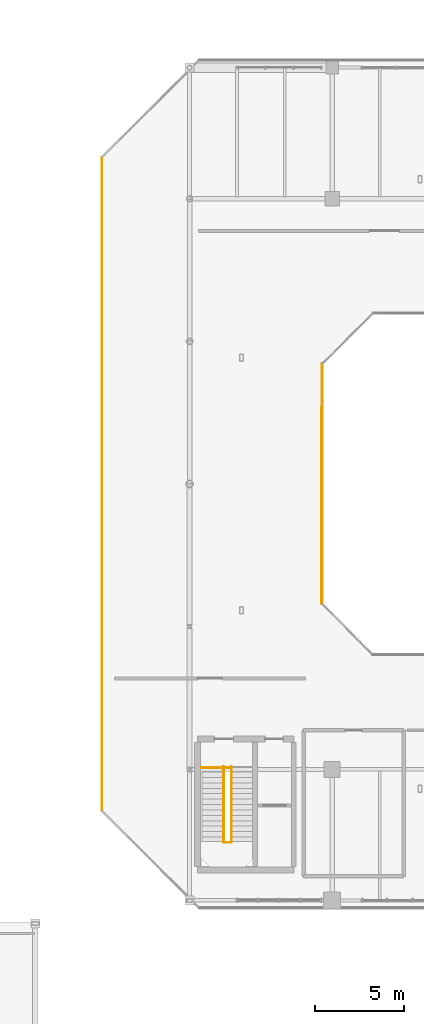
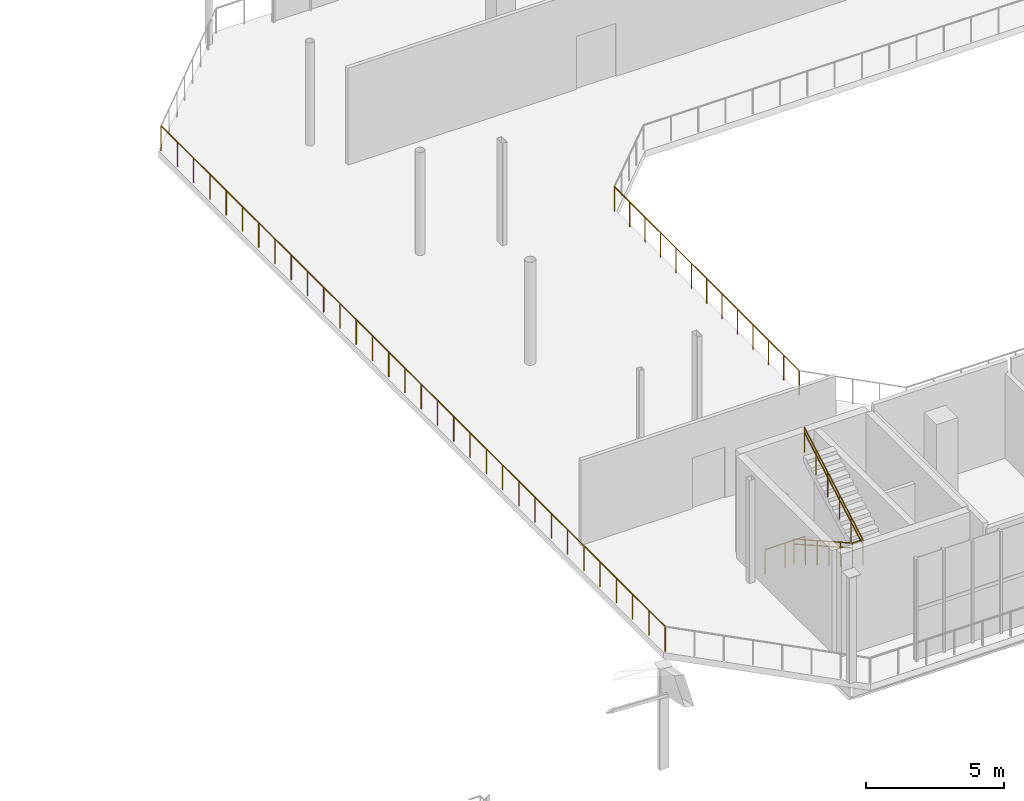
# One storey, part 46 of 51: 8 railings.
"""IFC4 building model written with IfcOpenShell, lengths in metres."""

from ifc_helpers import new_model, si_unit, direction, frame, origin, origin_2d, place, context, subcontext, project, spatial, circle, extrude, material, type_object, element, save


model = new_model("IFC4")

# Units and contexts
model_context = context("Model", 3, precision=1e-05, world=origin(), true_north=direction((0.0, 1.0)))
body_context = subcontext(model_context, "Body", "Model", "MODEL_VIEW")
ifc_project = project(units=[si_unit("LENGTHUNIT", "METRE"), si_unit("AREAUNIT", "SQUARE_METRE"), si_unit("VOLUMEUNIT", "CUBIC_METRE"), si_unit("PLANEANGLEUNIT", "RADIAN"), si_unit("MASSUNIT", "GRAM", prefix="KILO")], contexts=[model_context])

# Site, building, storey
site_placement = place(None, origin())
site = spatial("IfcSite", under=ifc_project, at=site_placement, CompositionType="ELEMENT")
building_placement = place(site_placement, origin())
building = spatial("IfcBuilding", under=site, at=building_placement, Name="Brisemont Oceanarium", CompositionType="ELEMENT")
storey_placement = place(building_placement, frame((0.0, 0.0, 15.0)))
storey = spatial("IfcBuildingStorey", under=building, at=storey_placement, Name="L03", CompositionType="ELEMENT", Elevation=15.0)

# Railings
ifc_material_1 = material(Name="Duplex Stainless Steel EN 1.4462", Category="steel")
railing_type_1 = type_object("IfcRailingType", Name="RLG-GUARD-1120", PredefinedType="GUARDRAIL", material=ifc_material_1)
railing_1_placement = place(storey_placement, frame((64.669921875, 40.090087890625, 0.0)))
element("IfcRailing", 1, at=railing_1_placement, inside=storey, type_object=railing_type_1, Name="ST-01 L03 landing edge guard", PredefinedType="GUARDRAIL", context=body_context, shape_type="SweptSolid", body=[
    extrude(circle(Radius=0.02392578125, at=origin_2d()), frame((0.0, 0.0, 1.09619140625), z_axis=(1.0, 0.0, 0.0), x_axis=(0.0, 1.0, 0.0)), (0.0, 0.0, 1.0), 1.68017578125),
    extrude(circle(Radius=0.02099609375, at=origin_2d()), origin(), (0.0, 0.0, 1.0), 1.072021484375),
    extrude(circle(Radius=0.02099609375, at=origin_2d()), frame((0.840087890625, 0.0, 0.0)), (0.0, 0.0, 1.0), 1.072021484375),
    extrude(circle(Radius=0.02099609375, at=origin_2d()), frame((1.68017578125, 0.0, 0.0)), (0.0, 0.0, 1.0), 1.072021484375),
])
railing_2_placement = place(storey_placement, frame((65.909912109375, 40.14990234375, 0.0)))
element("IfcRailing", 2, at=railing_2_placement, inside=storey, type_object=railing_type_1, Name="ST-01 L03 F1 well guard", PredefinedType="GUARDRAIL", context=body_context, shape_type="SweptSolid", body=[
    extrude(circle(Radius=0.02392578125, at=origin_2d()), frame((0.0, 0.0, 1.09619140625), z_axis=(0.0, -0.870762133844, 0.491704490791), x_axis=(1.0, 0.0, 0.0)), (0.0, 0.0, 1.0), 4.880859375),
    extrude(circle(Radius=0.02099609375, at=origin_2d()), origin(), (0.0, 0.0, 1.0), 1.072021484375),
    extrude(circle(Radius=0.02099609375, at=origin_2d()), frame((0.0, -0.85009765625, 0.47998046875)), (0.0, 0.0, 1.0), 1.072021484375),
    extrude(circle(Radius=0.02099609375, at=origin_2d()), frame((0.0, -1.699951171875, 0.9599609375)), (0.0, 0.0, 1.0), 1.072021484375),
    extrude(circle(Radius=0.02099609375, at=origin_2d()), frame((0.0, -2.550048828125, 1.43994140625)), (0.0, 0.0, 1.0), 1.072021484375),
    extrude(circle(Radius=0.02099609375, at=origin_2d()), frame((0.0, -3.39990234375, 1.919921875)), (0.0, 0.0, 1.0), 1.072021484375),
    extrude(circle(Radius=0.02099609375, at=origin_2d()), frame((0.0, -4.25, 2.39990234375)), (0.0, 0.0, 1.0), 1.072021484375),
])
railing_3_placement = place(storey_placement, frame((66.35009765625, 35.89990234375, 2.39990234375)))
element("IfcRailing", 3, at=railing_3_placement, inside=storey, type_object=railing_type_1, Name="ST-01 L03 F2 well guard", PredefinedType="GUARDRAIL", context=body_context, shape_type="SweptSolid", body=[
    extrude(circle(Radius=0.02392578125, at=origin_2d()), frame((0.0, 0.0, 1.09619140625), z_axis=(0.0, 0.870740716755, 0.491742416499), x_axis=(-1.0, 0.0, 0.0)), (0.0, 0.0, 1.0), 4.880859375),
    extrude(circle(Radius=0.02099609375, at=origin_2d()), origin(), (0.0, 0.0, 1.0), 1.072021484375),
    extrude(circle(Radius=0.02099609375, at=origin_2d()), frame((0.0, 0.85009765625, 0.47998046875)), (0.0, 0.0, 1.0), 1.072021484375),
    extrude(circle(Radius=0.02099609375, at=origin_2d()), frame((0.0, 1.699951171875, 0.9599609375)), (0.0, 0.0, 1.0), 1.072021484375),
    extrude(circle(Radius=0.02099609375, at=origin_2d()), frame((0.0, 2.550048828125, 1.440185546875)), (0.0, 0.0, 1.0), 1.072021484375),
    extrude(circle(Radius=0.02099609375, at=origin_2d()), frame((0.0, 3.39990234375, 1.920166015625)), (0.0, 0.0, 1.0), 1.072021484375),
    extrude(circle(Radius=0.02099609375, at=origin_2d()), frame((0.0, 4.25, 2.400146484375)), (0.0, 0.0, 1.0), 1.072021484375),
])
railing_4_placement = place(storey_placement, frame((65.909912109375, 35.89990234375, 2.39990234375)))
element("IfcRailing", 4, at=railing_4_placement, inside=storey, type_object=railing_type_1, Name="ST-01 L03 landing slot guard", PredefinedType="GUARDRAIL", context=body_context, shape_type="SweptSolid", body=[
    extrude(circle(Radius=0.02392578125, at=origin_2d()), frame((0.0, 0.0, 1.09619140625), z_axis=(1.0, 0.0, 0.0), x_axis=(0.0, 1.0, 0.0)), (0.0, 0.0, 1.0), 0.440185546875),
    extrude(circle(Radius=0.02099609375, at=origin_2d()), origin(), (0.0, 0.0, 1.0), 1.072021484375),
    extrude(circle(Radius=0.02099609375, at=origin_2d()), frame((0.440185546875, 0.0, 0.0)), (0.0, 0.0, 1.0), 1.072021484375),
])
railing_5_placement = place(storey_placement, frame((59.090087890625, 37.687255859375, 0.0)))
element("IfcRailing", 5, at=railing_5_placement, inside=storey, type_object=railing_type_1, Name="L03 slab perimeter safety guard 209", PredefinedType="GUARDRAIL", context=body_context, shape_type="SweptSolid", body=[
    extrude(circle(Radius=0.02392578125, at=origin_2d()), frame((0.0, 0.0, 1.09619140625), z_axis=(0.0, 1.0, 0.0), x_axis=(-1.0, 0.0, 0.0)), (0.0, 0.0, 1.0), 36.62548828125),
    extrude(circle(Radius=0.02099609375, at=origin_2d()), origin(), (0.0, 0.0, 1.0), 1.072021484375),
    extrude(circle(Radius=0.02099609375, at=origin_2d()), frame((0.0, 1.181396484375, 0.0)), (0.0, 0.0, 1.0), 1.072021484375),
    extrude(circle(Radius=0.02099609375, at=origin_2d()), frame((0.0, 2.363037109375, 0.0)), (0.0, 0.0, 1.0), 1.072021484375),
    extrude(circle(Radius=0.02099609375, at=origin_2d()), frame((0.0, 3.54443359375, 0.0)), (0.0, 0.0, 1.0), 1.072021484375),
    extrude(circle(Radius=0.02099609375, at=origin_2d()), frame((0.0, 4.725830078125, 0.0)), (0.0, 0.0, 1.0), 1.072021484375),
    extrude(circle(Radius=0.02099609375, at=origin_2d()), frame((0.0, 5.9072265625, 0.0)), (0.0, 0.0, 1.0), 1.072021484375),
    extrude(circle(Radius=0.02099609375, at=origin_2d()), frame((0.0, 7.0888671875, 0.0)), (0.0, 0.0, 1.0), 1.072021484375),
    extrude(circle(Radius=0.02099609375, at=origin_2d()), frame((0.0, 8.270263671875, 0.0)), (0.0, 0.0, 1.0), 1.072021484375),
    extrude(circle(Radius=0.02099609375, at=origin_2d()), frame((0.0, 9.45166015625, 0.0)), (0.0, 0.0, 1.0), 1.072021484375),
    extrude(circle(Radius=0.02099609375, at=origin_2d()), frame((0.0, 10.63330078125, 0.0)), (0.0, 0.0, 1.0), 1.072021484375),
    extrude(circle(Radius=0.02099609375, at=origin_2d()), frame((0.0, 11.814697265625, 0.0)), (0.0, 0.0, 1.0), 1.072021484375),
    extrude(circle(Radius=0.02099609375, at=origin_2d()), frame((0.0, 12.99609375, 0.0)), (0.0, 0.0, 1.0), 1.072021484375),
    extrude(circle(Radius=0.02099609375, at=origin_2d()), frame((0.0, 14.177490234375, 0.0)), (0.0, 0.0, 1.0), 1.072021484375),
    extrude(circle(Radius=0.02099609375, at=origin_2d()), frame((0.0, 15.359130859375, 0.0)), (0.0, 0.0, 1.0), 1.072021484375),
    extrude(circle(Radius=0.02099609375, at=origin_2d()), frame((0.0, 16.54052734375, 0.0)), (0.0, 0.0, 1.0), 1.072021484375),
    extrude(circle(Radius=0.02099609375, at=origin_2d()), frame((0.0, 17.721923828125, 0.0)), (0.0, 0.0, 1.0), 1.072021484375),
    extrude(circle(Radius=0.02099609375, at=origin_2d()), frame((0.0, 18.903564453125, 0.0)), (0.0, 0.0, 1.0), 1.072021484375),
    extrude(circle(Radius=0.02099609375, at=origin_2d()), frame((0.0, 20.0849609375, 0.0)), (0.0, 0.0, 1.0), 1.072021484375),
    extrude(circle(Radius=0.02099609375, at=origin_2d()), frame((0.0, 21.266357421875, 0.0)), (0.0, 0.0, 1.0), 1.072021484375),
    extrude(circle(Radius=0.02099609375, at=origin_2d()), frame((0.0, 22.447998046875, 0.0)), (0.0, 0.0, 1.0), 1.072021484375),
    extrude(circle(Radius=0.02099609375, at=origin_2d()), frame((0.0, 23.62939453125, 0.0)), (0.0, 0.0, 1.0), 1.072021484375),
    extrude(circle(Radius=0.02099609375, at=origin_2d()), frame((0.0, 24.810791015625, 0.0)), (0.0, 0.0, 1.0), 1.072021484375),
    extrude(circle(Radius=0.02099609375, at=origin_2d()), frame((0.0, 25.9921875, 0.0)), (0.0, 0.0, 1.0), 1.072021484375),
    extrude(circle(Radius=0.02099609375, at=origin_2d()), frame((0.0, 27.173828125, 0.0)), (0.0, 0.0, 1.0), 1.072021484375),
    extrude(circle(Radius=0.02099609375, at=origin_2d()), frame((0.0, 28.355224609375, 0.0)), (0.0, 0.0, 1.0), 1.072021484375),
    extrude(circle(Radius=0.02099609375, at=origin_2d()), frame((0.0, 29.53662109375, 0.0)), (0.0, 0.0, 1.0), 1.072021484375),
    extrude(circle(Radius=0.02099609375, at=origin_2d()), frame((0.0, 30.71826171875, 0.0)), (0.0, 0.0, 1.0), 1.072021484375),
    extrude(circle(Radius=0.02099609375, at=origin_2d()), frame((0.0, 31.899658203125, 0.0)), (0.0, 0.0, 1.0), 1.072021484375),
    extrude(circle(Radius=0.02099609375, at=origin_2d()), frame((0.0, 33.0810546875, 0.0)), (0.0, 0.0, 1.0), 1.072021484375),
    extrude(circle(Radius=0.02099609375, at=origin_2d()), frame((0.0, 34.262451171875, 0.0)), (0.0, 0.0, 1.0), 1.072021484375),
    extrude(circle(Radius=0.02099609375, at=origin_2d()), frame((0.0, 35.444091796875, 0.0)), (0.0, 0.0, 1.0), 1.072021484375),
    extrude(circle(Radius=0.02099609375, at=origin_2d()), frame((0.0, 36.62548828125, 0.0)), (0.0, 0.0, 1.0), 1.072021484375),
])
railing_6_placement = place(storey_placement, frame((71.42529296875, 62.747314453125, 0.0)))
element("IfcRailing", 6, at=railing_6_placement, inside=storey, type_object=railing_type_1, Name="L03 slab perimeter safety guard 221", PredefinedType="GUARDRAIL", context=body_context, shape_type="SweptSolid", body=[
    extrude(circle(Radius=0.02392578125, at=origin_2d()), frame((0.0, 0.0, 1.09619140625), z_axis=(-0.001034181899, -0.999999465234, 0.0), x_axis=(0.999999465234, -0.001034181899, 0.0)), (0.0, 0.0, 1.0), 13.4560546875),
    extrude(circle(Radius=0.02099609375, at=origin_2d()), origin(), (0.0, 0.0, 1.0), 1.072021484375),
    extrude(circle(Radius=0.02099609375, at=origin_2d()), frame((-0.001220703125, -1.121337890625, 0.0)), (0.0, 0.0, 1.0), 1.072021484375),
    extrude(circle(Radius=0.02099609375, at=origin_2d()), frame((-0.00244140625, -2.24267578125, 0.0)), (0.0, 0.0, 1.0), 1.072021484375),
    extrude(circle(Radius=0.02099609375, at=origin_2d()), frame((-0.00341796875, -3.364013671875, 0.0)), (0.0, 0.0, 1.0), 1.072021484375),
    extrude(circle(Radius=0.02099609375, at=origin_2d()), frame((-0.004638671875, -4.4853515625, 0.0)), (0.0, 0.0, 1.0), 1.072021484375),
    extrude(circle(Radius=0.02099609375, at=origin_2d()), frame((-0.005859375, -5.606689453125, 0.0)), (0.0, 0.0, 1.0), 1.072021484375),
    extrude(circle(Radius=0.02099609375, at=origin_2d()), frame((-0.0068359375, -6.72802734375, 0.0)), (0.0, 0.0, 1.0), 1.072021484375),
    extrude(circle(Radius=0.02099609375, at=origin_2d()), frame((-0.008056640625, -7.849365234375, 0.0)), (0.0, 0.0, 1.0), 1.072021484375),
    extrude(circle(Radius=0.02099609375, at=origin_2d()), frame((-0.00927734375, -8.970703125, 0.0)), (0.0, 0.0, 1.0), 1.072021484375),
    extrude(circle(Radius=0.02099609375, at=origin_2d()), frame((-0.010498046875, -10.092041015625, 0.0)), (0.0, 0.0, 1.0), 1.072021484375),
    extrude(circle(Radius=0.02099609375, at=origin_2d()), frame((-0.01171875, -11.21337890625, 0.0)), (0.0, 0.0, 1.0), 1.072021484375),
    extrude(circle(Radius=0.02099609375, at=origin_2d()), frame((-0.0126953125, -12.334716796875, 0.0)), (0.0, 0.0, 1.0), 1.072021484375),
    extrude(circle(Radius=0.02099609375, at=origin_2d()), frame((-0.013916015625, -13.4560546875, 0.0)), (0.0, 0.0, 1.0), 1.072021484375),
])
ifc_material_2 = material(Name="Duplex Stainless Steel EN 1.4462", Category="steel")
railing_type_2 = type_object("IfcRailingType", Name="RLG-HAND-900", PredefinedType="HANDRAIL", material=ifc_material_2)
railing_7_placement = place(storey_placement, frame((65.909912109375, 40.14990234375, 0.0)))
element("IfcRailing", 7, at=railing_7_placement, inside=storey, type_object=railing_type_2, Name="ST-01 L03 F1 handrail", PredefinedType="HANDRAIL", context=body_context, shape_type="SweptSolid", body=[
    extrude(circle(Radius=0.02392578125, at=origin_2d()), frame((0.0, 0.0, 0.8759765625), z_axis=(0.0, -0.870762133844, 0.491704490791), x_axis=(1.0, 0.0, 0.0)), (0.0, 0.0, 1.0), 4.880859375),
    extrude(circle(Radius=0.02099609375, at=origin_2d()), origin(), (0.0, 0.0, 1.0), 0.851806640625),
    extrude(circle(Radius=0.02099609375, at=origin_2d()), frame((0.0, -0.85009765625, 0.47998046875)), (0.0, 0.0, 1.0), 0.851806640625),
    extrude(circle(Radius=0.02099609375, at=origin_2d()), frame((0.0, -1.699951171875, 0.9599609375)), (0.0, 0.0, 1.0), 0.851806640625),
    extrude(circle(Radius=0.02099609375, at=origin_2d()), frame((0.0, -2.550048828125, 1.43994140625)), (0.0, 0.0, 1.0), 0.851806640625),
    extrude(circle(Radius=0.02099609375, at=origin_2d()), frame((0.0, -3.39990234375, 1.919921875)), (0.0, 0.0, 1.0), 0.851806640625),
    extrude(circle(Radius=0.02099609375, at=origin_2d()), frame((0.0, -4.25, 2.39990234375)), (0.0, 0.0, 1.0), 0.851806640625),
])
railing_8_placement = place(storey_placement, frame((66.35009765625, 35.89990234375, 2.39990234375)))
element("IfcRailing", 8, at=railing_8_placement, inside=storey, type_object=railing_type_2, Name="ST-01 L03 F2 handrail", PredefinedType="HANDRAIL", context=body_context, shape_type="SweptSolid", body=[
    extrude(circle(Radius=0.02392578125, at=origin_2d()), frame((0.0, 0.0, 0.8759765625), z_axis=(0.0, 0.870740716755, 0.491742416499), x_axis=(-1.0, 0.0, 0.0)), (0.0, 0.0, 1.0), 4.880859375),
    extrude(circle(Radius=0.02099609375, at=origin_2d()), origin(), (0.0, 0.0, 1.0), 0.851806640625),
    extrude(circle(Radius=0.02099609375, at=origin_2d()), frame((0.0, 0.85009765625, 0.47998046875)), (0.0, 0.0, 1.0), 0.851806640625),
    extrude(circle(Radius=0.02099609375, at=origin_2d()), frame((0.0, 1.699951171875, 0.9599609375)), (0.0, 0.0, 1.0), 0.851806640625),
    extrude(circle(Radius=0.02099609375, at=origin_2d()), frame((0.0, 2.550048828125, 1.440185546875)), (0.0, 0.0, 1.0), 0.851806640625),
    extrude(circle(Radius=0.02099609375, at=origin_2d()), frame((0.0, 3.39990234375, 1.920166015625)), (0.0, 0.0, 1.0), 0.851806640625),
    extrude(circle(Radius=0.02099609375, at=origin_2d()), frame((0.0, 4.25, 2.400146484375)), (0.0, 0.0, 1.0), 0.851806640625),
])

save(model, "model.ifc")
